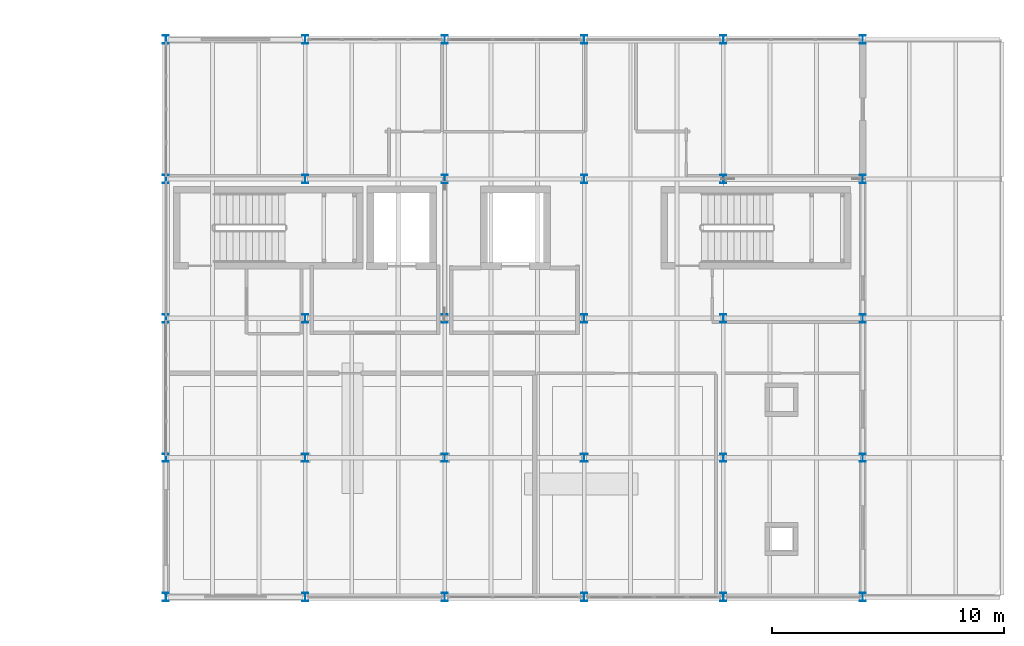
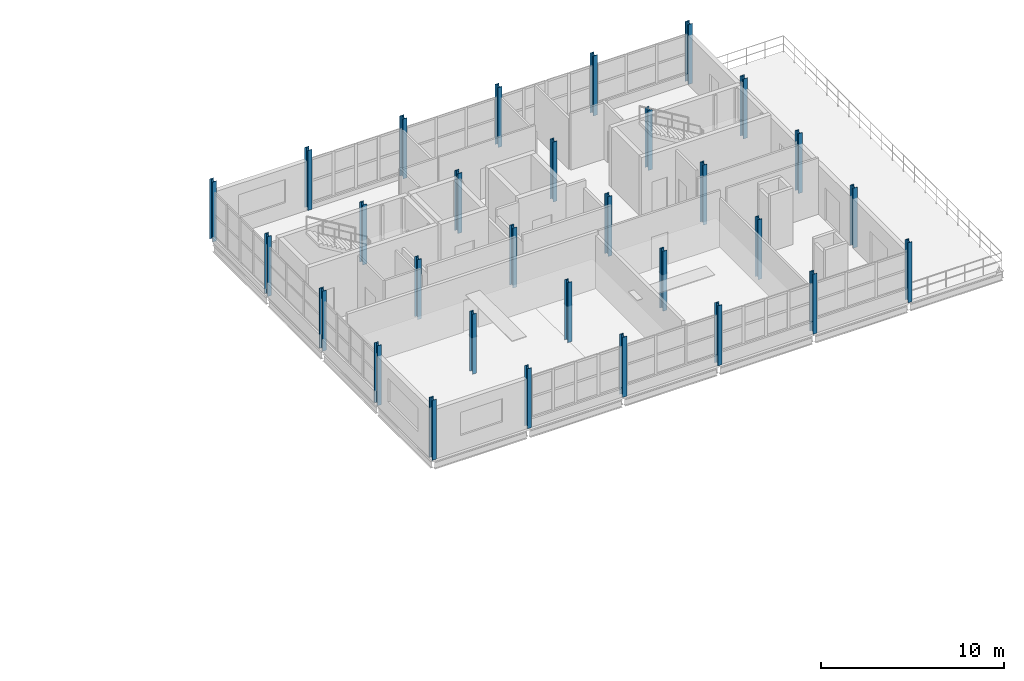
# One storey, part 2 of 23: 30 columns.
"""IFC4 building model written with IfcOpenShell, lengths in metres."""

from ifc_helpers import new_model, si_unit, direction, frame, origin, origin_2d, place, context, subcontext, project, spatial, i_section, extrude, material, material_profile, profile_set, type_object, element, save


model = new_model("IFC4")

# Units and contexts
model_context = context("Model", 3, precision=1e-05, world=origin(), true_north=direction((0.0, 1.0)))
body_context = subcontext(model_context, "Body", "Model", "MODEL_VIEW")
ifc_project = project(units=[si_unit("LENGTHUNIT", "METRE"), si_unit("AREAUNIT", "SQUARE_METRE"), si_unit("VOLUMEUNIT", "CUBIC_METRE"), si_unit("PLANEANGLEUNIT", "RADIAN"), si_unit("MASSUNIT", "GRAM", prefix="KILO")], contexts=[model_context])

# Site, building, storey
site_placement = place(None, origin())
site = spatial("IfcSite", under=ifc_project, at=site_placement, CompositionType="ELEMENT")
building_placement = place(site_placement, origin())
building = spatial("IfcBuilding", under=site, at=building_placement, Name="Siltcreek Boulevard Central Fire Station", CompositionType="ELEMENT")
storey_placement = place(building_placement, frame((0.0, 0.0, 14.0)))
storey = spatial("IfcBuildingStorey", under=building, at=storey_placement, Name="L04", CompositionType="ELEMENT", Elevation=14.0)

# Columns
ifc_material = material(Name="Structural steel ASTM A992 Gr50", Category="steel")
ifc_material_profile = material_profile(ifc_material, i_section(OverallWidth=0.256103515625, OverallDepth=0.360107421875, WebThickness=0.011474609375, FlangeThickness=0.02001953125, at=origin_2d()), Name="W360X110")
ifc_profile_set = profile_set([ifc_material_profile], Name="Structural steel ASTM A992 Gr50")
column_type = type_object("IfcColumnType", Name="COL_W360X110", PredefinedType="COLUMN", material=ifc_profile_set)
for number, where, z_axis, x_axis, name in (
    (1, (124.199951171875, 88.199951171875, 0.0), (0.0, 0.0, 1.0), (1.0, 0.0, 0.0), "L04 structural column COLG-L04-1242-882"),
    (2, (124.199951171875, 94.199951171875, 0.0), (0.0, 0.0, 1.0), (1.0, 0.0, 0.0), "L04 structural column COLG-L04-1242-942"),
    (3, (124.199951171875, 100.199951171875, 0.0), (0.0, 0.0, 1.0), (1.0, 0.0, 0.0), "L04 structural column COLG-L04-1242-1002"),
    (4, (124.199951171875, 106.199951171875, 0.0), (0.0, 0.0, 1.0), (1.0, 0.0, 0.0), "L04 structural column COLG-L04-1242-1062"),
    (5, (124.199951171875, 112.199951171875, 0.0), (0.0, 0.0, 1.0), (1.0, 0.0, 0.0), "L04 structural column COLG-L04-1242-1122"),
    (6, (130.199951171875, 88.199951171875, 0.0), (0.0, 0.0, 1.0), (1.0, 0.0, 0.0), "L04 structural column COLG-L04-1302-882"),
    (7, (130.199951171875, 94.199951171875, 0.0), (0.0, 0.0, 1.0), (1.0, 0.0, 0.0), "L04 structural column COLG-L04-1302-942"),
    (8, (130.199951171875, 100.199951171875, 0.0), (0.0, 0.0, 1.0), (1.0, 0.0, 0.0), "L04 structural column COLG-L04-1302-1002"),
    (9, (130.199951171875, 106.199951171875, 0.0), (0.0, 0.0, 1.0), (1.0, 0.0, 0.0), "L04 structural column COLG-L04-1302-1062"),
    (10, (130.199951171875, 112.199951171875, 0.0), (0.0, 0.0, 1.0), (1.0, 0.0, 0.0), "L04 structural column COLG-L04-1302-1122"),
    (11, (136.199951171875, 88.199951171875, 0.0), (0.0, 0.0, 1.0), (1.0, 0.0, 0.0), "L04 structural column COLG-L04-1362-882"),
    (12, (136.199951171875, 94.199951171875, 0.0), (0.0, 0.0, 1.0), (1.0, 0.0, 0.0), "L04 structural column COLG-L04-1362-942"),
    (13, (136.199951171875, 100.199951171875, 0.0), (0.0, 0.0, 1.0), (1.0, 0.0, 0.0), "L04 structural column COLG-L04-1362-1002"),
    (14, (136.199951171875, 106.199951171875, 0.0), (0.0, 0.0, 1.0), (1.0, 0.0, 0.0), "L04 structural column COLG-L04-1362-1062"),
    (15, (136.199951171875, 112.199951171875, 0.0), (0.0, 0.0, 1.0), (1.0, 0.0, 0.0), "L04 structural column COLG-L04-1362-1122"),
    (16, (142.199951171875, 88.199951171875, 0.0), (0.0, 0.0, 1.0), (1.0, 0.0, 0.0), "L04 structural column COLG-L04-1422-882"),
    (17, (142.199951171875, 94.199951171875, 0.0), (0.0, 0.0, 1.0), (1.0, 0.0, 0.0), "L04 structural column COLG-L04-1422-942"),
    (18, (142.199951171875, 100.199951171875, 0.0), (0.0, 0.0, 1.0), (1.0, 0.0, 0.0), "L04 structural column COLG-L04-1422-1002"),
    (19, (142.199951171875, 106.199951171875, 0.0), (0.0, 0.0, 1.0), (1.0, 0.0, 0.0), "L04 structural column COLG-L04-1422-1062"),
    (20, (142.199951171875, 112.199951171875, 0.0), (0.0, 0.0, 1.0), (1.0, 0.0, 0.0), "L04 structural column COLG-L04-1422-1122"),
    (21, (148.199951171875, 88.199951171875, 0.0), (0.0, 0.0, 1.0), (1.0, 0.0, 0.0), "L04 structural column COLG-L04-1482-882"),
    (22, (148.199951171875, 94.199951171875, 0.0), (0.0, 0.0, 1.0), (1.0, 0.0, 0.0), "L04 structural column COLG-L04-1482-942"),
    (23, (148.199951171875, 100.199951171875, 0.0), (0.0, 0.0, 1.0), (1.0, 0.0, 0.0), "L04 structural column COLG-L04-1482-1002"),
    (24, (148.199951171875, 106.199951171875, 0.0), (0.0, 0.0, 1.0), (1.0, 0.0, 0.0), "L04 structural column COLG-L04-1482-1062"),
    (25, (148.199951171875, 112.199951171875, 0.0), (0.0, 0.0, 1.0), (1.0, 0.0, 0.0), "L04 structural column COLG-L04-1482-1122"),
    (26, (154.199951171875, 88.199951171875, 0.0), (0.0, 0.0, 1.0), (1.0, 0.0, 0.0), "L04 structural column COLG-L04-1542-882"),
    (27, (154.199951171875, 94.199951171875, 0.0), (0.0, 0.0, 1.0), (1.0, 0.0, 0.0), "L04 structural column COLG-L04-1542-942"),
    (28, (154.199951171875, 100.199951171875, 0.0), (0.0, 0.0, 1.0), (1.0, 0.0, 0.0), "L04 structural column COLG-L04-1542-1002"),
    (29, (154.199951171875, 106.199951171875, 0.0), (0.0, 0.0, 1.0), (1.0, 0.0, 0.0), "L04 structural column COLG-L04-1542-1062"),
    (30, (154.199951171875, 112.199951171875, 0.0), (0.0, 0.0, 1.0), (1.0, 0.0, 0.0), "L04 structural column COLG-L04-1542-1122"),
):
    element("IfcColumn", number, at=place(storey_placement, frame(where, z_axis=z_axis, x_axis=x_axis)), inside=storey, type_object=column_type, Name=name, PredefinedType="COLUMN", context=body_context, shape_type="SweptSolid", body=[
        extrude(i_section(OverallWidth=0.256103515625, OverallDepth=0.360107421875, WebThickness=0.011474609375, FlangeThickness=0.02001953125, at=origin_2d()), origin(), (0.0, 0.0, 1.0), 4.0),
    ])

save(model, "model.ifc")
